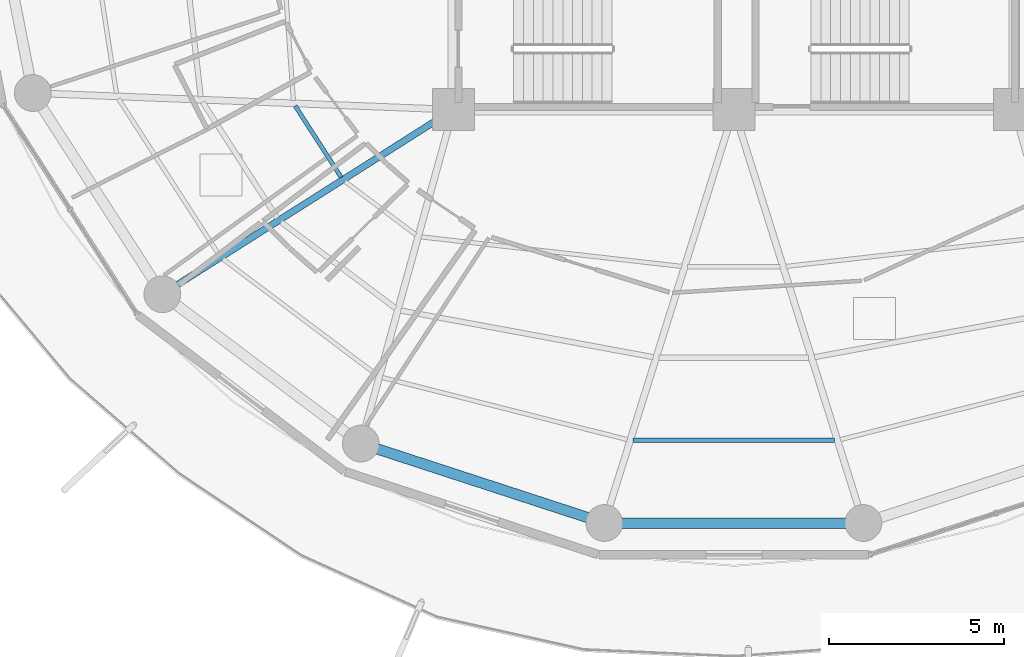
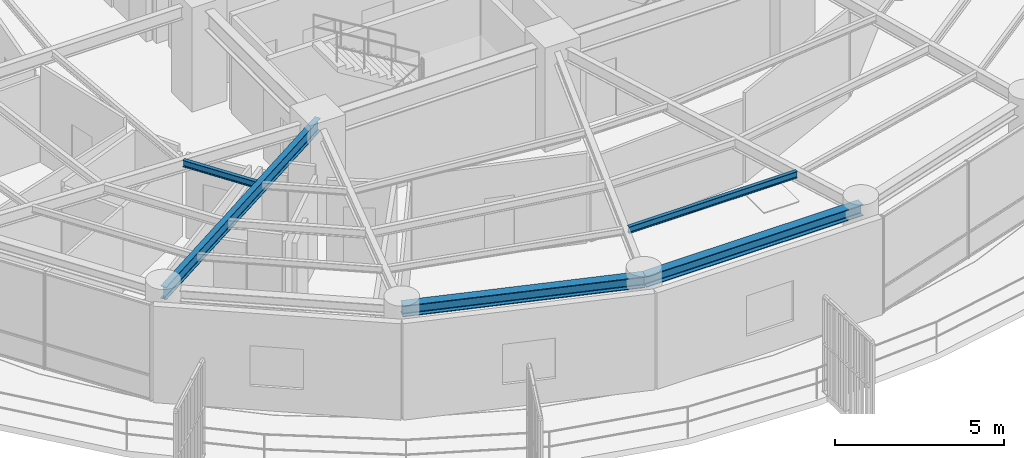
# One storey, part 3 of 30: 5 beams.
"""IFC4 building model written with IfcOpenShell, lengths in metres."""

from ifc_helpers import new_model, si_unit, direction, frame, origin, origin_2d, place, context, subcontext, project, spatial, i_section, extrude, material, material_profile, profile_set, type_object, element, save


model = new_model("IFC4")

# Units and contexts
model_context = context("Model", 3, precision=1e-05, world=origin(), true_north=direction((0.0, 1.0)))
body_context = subcontext(model_context, "Body", "Model", "MODEL_VIEW")
ifc_project = project(units=[si_unit("LENGTHUNIT", "METRE"), si_unit("AREAUNIT", "SQUARE_METRE"), si_unit("VOLUMEUNIT", "CUBIC_METRE"), si_unit("PLANEANGLEUNIT", "RADIAN"), si_unit("MASSUNIT", "GRAM", prefix="KILO")], contexts=[model_context])

# Site, building, storey
site_placement = place(None, origin())
site = spatial("IfcSite", under=ifc_project, at=site_placement, CompositionType="ELEMENT")
building_placement = place(site_placement, origin())
building = spatial("IfcBuilding", under=site, at=building_placement, Name="Kelanora Arch Commons", CompositionType="ELEMENT")
storey_placement = place(building_placement, frame((0.0, 0.0, 215.699951171875)))
storey = spatial("IfcBuildingStorey", under=building, at=storey_placement, Name="L55", CompositionType="ELEMENT", Elevation=215.699951171875)

# Beams
ifc_material = material(Name="Steel S355", Category="steel")
ifc_material_profile_1 = material_profile(ifc_material, i_section(OverallWidth=0.1201171875, OverallDepth=0.239990234375, WebThickness=0.006103515625, FlangeThickness=0.009765625, FilletRadius=0.014892578125, at=origin_2d()), Name="IPE240")
ifc_profile_set_1 = profile_set([ifc_material_profile_1], Name="Steel S355")
beam_type_1 = type_object("IfcBeamType", Name="BM-JST-02", PredefinedType="JOIST", material=ifc_profile_set_1)
beam_1_placement = place(storey_placement, frame((61.4873046875, 51.10888671875, 3.3701171875), z_axis=(0.541332763503, -0.840808443796, 0.0), x_axis=(0.840808443796, 0.541332763503, 0.0)))
element("IfcBeam", 1, at=beam_1_placement, inside=storey, type_object=beam_type_1, Name="Secondary Chord Joist BJA-20 L55", PredefinedType="JOIST", context=body_context, shape_type="SweptSolid", body=[
    extrude(i_section(OverallWidth=0.1201171875, OverallDepth=0.239990234375, WebThickness=0.006103515625, FlangeThickness=0.009765625, FilletRadius=0.014892578125, at=origin_2d()), origin(), (0.0, 0.0, 1.0), 2.423583984375),
])
beam_2_placement = place(storey_placement, frame((71.12890625, 41.56787109375, 3.3701171875), z_axis=(1.0, 0.0, 0.0), x_axis=(0.0, 1.0, 0.0)))
element("IfcBeam", 2, at=beam_2_placement, inside=storey, type_object=beam_type_1, Name="Secondary Chord Joist BJC-26 L55", PredefinedType="JOIST", context=body_context, shape_type="SweptSolid", body=[
    extrude(i_section(OverallWidth=0.1201171875, OverallDepth=0.239990234375, WebThickness=0.006103515625, FlangeThickness=0.009765625, FilletRadius=0.014892578125, at=origin_2d()), origin(), (0.0, 0.0, 1.0), 5.7421875),
])
ifc_material_profile_2 = material_profile(ifc_material, i_section(OverallWidth=0.18994140625, OverallDepth=0.449951171875, WebThickness=0.009521484375, FlangeThickness=0.0146484375, FilletRadius=0.02099609375, at=origin_2d()), Name="IPE450")
ifc_profile_set_2 = profile_set([ifc_material_profile_2], Name="Steel S355")
beam_type_2 = type_object("IfcBeamType", Name="BM-RAD-Z4", PredefinedType="BEAM", material=ifc_profile_set_2)
beam_3_placement = place(storey_placement, frame((66.0, 51.0, 3.26513671875), z_axis=(-0.844507208607, -0.535544185489, 0.0), x_axis=(0.535544185489, -0.844507208607, 0.0)))
element("IfcBeam", 3, at=beam_3_placement, inside=storey, type_object=beam_type_2, Name="Radial Floor Girder BR-22 L55", PredefinedType="BEAM", context=body_context, shape_type="SweptSolid", body=[
    extrude(i_section(OverallWidth=0.18994140625, OverallDepth=0.449951171875, WebThickness=0.009521484375, FlangeThickness=0.0146484375, FilletRadius=0.02099609375, at=origin_2d()), origin(), (0.0, 0.0, 1.0), 9.830078125),
])
ifc_material_profile_3 = material_profile(ifc_material, i_section(OverallWidth=0.300048828125, OverallDepth=0.39990234375, WebThickness=0.013427734375, FlangeThickness=0.02392578125, FilletRadius=0.027099609375, at=origin_2d()), Name="HEB400")
ifc_profile_set_3 = profile_set([ifc_material_profile_3], Name="Steel S355")
beam_type_3 = type_object("IfcBeamType", Name="BM-SPN-Z4", PredefinedType="SPANDREL", material=ifc_profile_set_3)
beam_4_placement = place(storey_placement, frame((63.360107421875, 41.476318359375, 3.2900390625), z_axis=(0.950656361143, -0.310245842872, 0.0), x_axis=(0.310245842872, 0.950656361143, 0.0)))
element("IfcBeam", 4, at=beam_4_placement, inside=storey, type_object=beam_type_3, Name="Perimeter Spandrel Beam BS-24 L55", PredefinedType="SPANDREL", context=body_context, shape_type="SweptSolid", body=[
    extrude(i_section(OverallWidth=0.300048828125, OverallDepth=0.39990234375, WebThickness=0.013427734375, FlangeThickness=0.02392578125, FilletRadius=0.027099609375, at=origin_2d()), origin(), (0.0, 0.0, 1.0), 7.304931640625),
])
beam_5_placement = place(storey_placement, frame((70.3046875, 39.2099609375, 3.2900390625), z_axis=(1.0, 0.0, 0.0), x_axis=(0.0, 1.0, 0.0)))
element("IfcBeam", 5, at=beam_5_placement, inside=storey, type_object=beam_type_3, Name="Perimeter Spandrel Beam BS-26 L55", PredefinedType="SPANDREL", context=body_context, shape_type="SweptSolid", body=[
    extrude(i_section(OverallWidth=0.300048828125, OverallDepth=0.39990234375, WebThickness=0.013427734375, FlangeThickness=0.02392578125, FilletRadius=0.027099609375, at=origin_2d()), origin(), (0.0, 0.0, 1.0), 7.390625),
])

save(model, "model.ifc")
